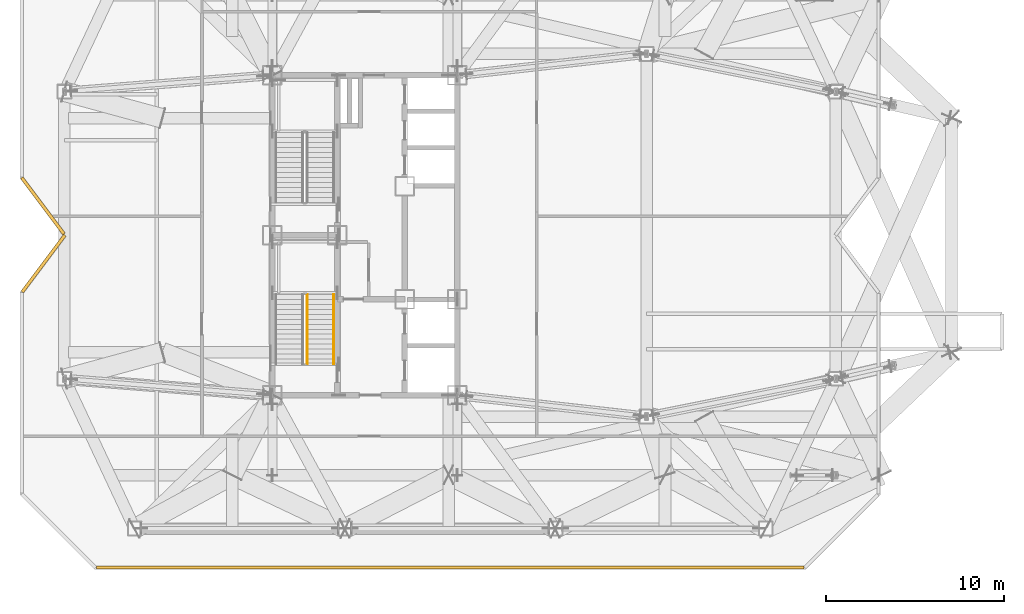
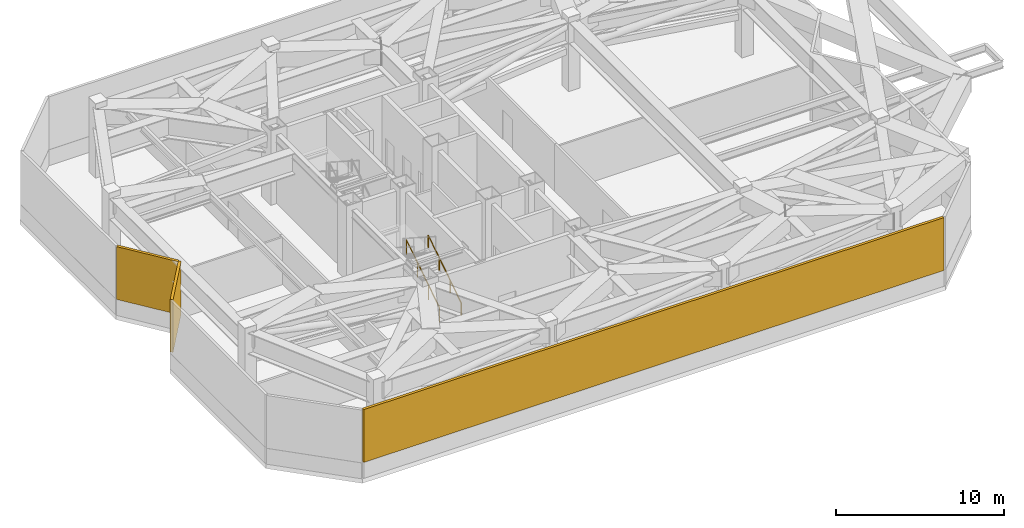
# One storey, part 17 of 19: 3 shading devices, 2 railings.
"""IFC4 building model written with IfcOpenShell, lengths in metres."""

from ifc_helpers import new_model, si_unit, direction, frame, origin, origin_2d, place, context, subcontext, project, spatial, rectangle, circle, extrude, material, type_object, element, save


model = new_model("IFC4")

# Units and contexts
model_context = context("Model", 3, precision=1e-05, world=origin(), true_north=direction((0.0, 1.0)))
body_context = subcontext(model_context, "Body", "Model", "MODEL_VIEW")
ifc_project = project(units=[si_unit("LENGTHUNIT", "METRE"), si_unit("AREAUNIT", "SQUARE_METRE"), si_unit("VOLUMEUNIT", "CUBIC_METRE"), si_unit("PLANEANGLEUNIT", "RADIAN"), si_unit("MASSUNIT", "GRAM", prefix="KILO")], contexts=[model_context])

# Site, building, storey
site_placement = place(None, origin())
site = spatial("IfcSite", under=ifc_project, at=site_placement, CompositionType="ELEMENT")
building_placement = place(site_placement, origin())
building = spatial("IfcBuilding", under=site, at=building_placement, Name="Khamvora Tower", CompositionType="ELEMENT")
storey_placement = place(building_placement, frame((0.0, 0.0, 211.800048828125)))
storey = spatial("IfcBuildingStorey", under=building, at=storey_placement, Name="L54", CompositionType="ELEMENT", Elevation=211.800048828125)

# Railings
ifc_material_1 = material(Name="Brushed Stainless Steel 316", Category="steel")
railing_type_1 = type_object("IfcRailingType", Name="RAL-HDR-920", PredefinedType="HANDRAIL", material=ifc_material_1)
railing_1_placement = place(storey_placement, frame((32.449951171875, 20.75, 0.179931640625)))
element("IfcRailing", 1, at=railing_1_placement, inside=storey, type_object=railing_type_1, Name="L54 ST-01 stair handrail 1", PredefinedType="HANDRAIL", context=body_context, shape_type="SweptSolid", body=[
    extrude(circle(Radius=0.02392578125, at=origin_2d()), frame((0.0, 0.0, 0.8759765625), z_axis=(0.0, 0.841171666519, 0.540768182723), x_axis=(-1.0, 0.0, 0.0)), (0.0, 0.0, 1.0), 4.66015625),
    extrude(circle(Radius=0.02099609375, at=origin_2d()), origin(), (0.0, 0.0, 1.0), 0.851806640625),
    extrude(circle(Radius=0.02099609375, at=origin_2d()), frame((0.0, 1.306640625, 0.840087890625)), (0.0, 0.0, 1.0), 0.851806640625),
    extrude(circle(Radius=0.02099609375, at=origin_2d()), frame((0.0, 2.61328125, 1.679931640625)), (0.0, 0.0, 1.0), 0.851806640625),
    extrude(circle(Radius=0.02099609375, at=origin_2d()), frame((0.0, 3.919921875, 2.52001953125)), (0.0, 0.0, 1.0), 0.851806640625),
])
ifc_material_2 = material(Name="Stainless Steel 316", Category="steel")
railing_type_2 = type_object("IfcRailingType", Name="RAL-STG-1100", PredefinedType="GUARDRAIL", material=ifc_material_2)
railing_2_placement = place(storey_placement, frame((30.949951171875, 20.75, 0.179931640625)))
element("IfcRailing", 2, at=railing_2_placement, inside=storey, type_object=railing_type_2, Name="L54 ST-01 stair guard 1", PredefinedType="GUARDRAIL", context=body_context, shape_type="SweptSolid", body=[
    extrude(circle(Radius=0.02392578125, at=origin_2d()), frame((0.0, 0.0, 1.076171875), z_axis=(0.0, 0.841171666519, 0.540768182723), x_axis=(-1.0, 0.0, 0.0)), (0.0, 0.0, 1.0), 4.66015625),
    extrude(circle(Radius=0.02099609375, at=origin_2d()), origin(), (0.0, 0.0, 1.0), 1.052001953125),
    extrude(circle(Radius=0.02099609375, at=origin_2d()), frame((0.0, 1.306640625, 0.840087890625)), (0.0, 0.0, 1.0), 1.052001953125),
    extrude(circle(Radius=0.02099609375, at=origin_2d()), frame((0.0, 2.61328125, 1.679931640625)), (0.0, 0.0, 1.0), 1.052001953125),
    extrude(circle(Radius=0.02099609375, at=origin_2d()), frame((0.0, 3.919921875, 2.52001953125)), (0.0, 0.0, 1.0), 1.052001953125),
])

# Shading devices
ifc_material_3 = material(Name="Pale Anodised Aluminium 6063-T6", Category="aluminium")
shading_device_type = type_object("IfcShadingDeviceType", Name="SHD-LVR-150", PredefinedType="JALOUSIE", material=ifc_material_3)
shading_device_1_placement = place(storey_placement, frame((16.126953125, 26.404052734375, 1.14990234375), z_axis=(0.0, 0.0, 1.0), x_axis=(0.600039589506, 0.79997030634, 0.0)))
element("IfcShadingDevice", 3, at=shading_device_1_placement, inside=storey, type_object=shading_device_type, Name="L54 mechanical weather louvre 03.1", PredefinedType="JALOUSIE", context=body_context, shape_type="SweptSolid", body=[
    extrude(rectangle(XDim=3.990966796875, YDim=0.179931640625, at=origin_2d()), origin(), (0.0, 0.0, 1.0), 3.830078125),
])
shading_device_2_placement = place(storey_placement, frame((16.0869140625, 29.65087890625, 1.14990234375), z_axis=(0.0, 0.0, 1.0), x_axis=(-0.600039589506, 0.79997030634, 0.0)))
element("IfcShadingDevice", 4, at=shading_device_2_placement, inside=storey, type_object=shading_device_type, Name="L54 mechanical weather louvre 04.1", PredefinedType="JALOUSIE", context=body_context, shape_type="SweptSolid", body=[
    extrude(rectangle(XDim=3.955078125, YDim=0.179931640625, at=origin_2d()), origin(), (0.0, 0.0, 1.0), 3.830078125),
])
shading_device_3_placement = place(storey_placement, frame((38.9990234375, 9.300048828125, 1.14990234375), z_axis=(0.0, 0.0, 1.0), x_axis=(-1.0, 0.0, 0.0)))
element("IfcShadingDevice", 5, at=shading_device_3_placement, inside=storey, type_object=shading_device_type, Name="L54 mechanical weather louvre 14.1", PredefinedType="JALOUSIE", context=body_context, shape_type="SweptSolid", body=[
    extrude(rectangle(XDim=39.79296875, YDim=0.179931640625, at=origin_2d()), origin(), (0.0, 0.0, 1.0), 3.830078125),
])

save(model, "model.ifc")
